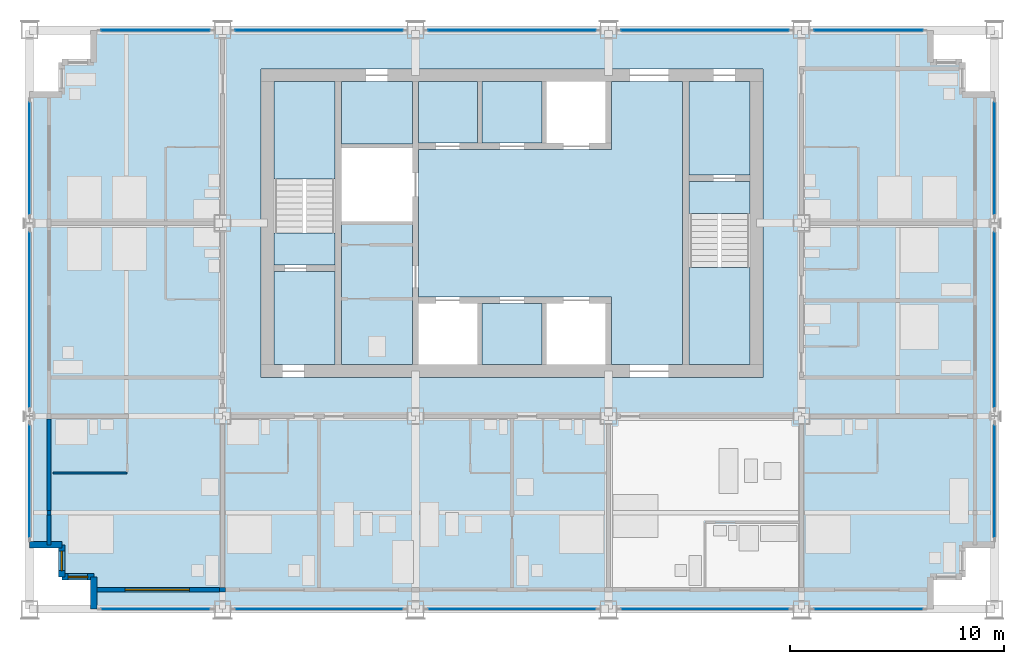
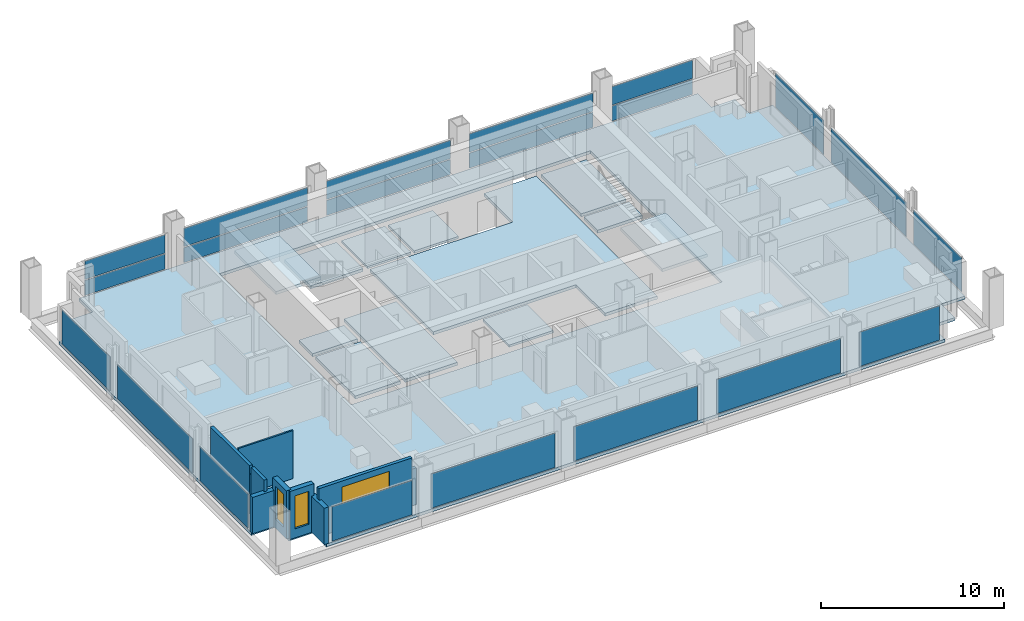
# One storey, part 6 of 13: 21 plates, 13 slabs, 10 walls, 3 windows, 3 openings, 18 elements without a shape of their own.
"""IFC4 building model written with IfcOpenShell, lengths in metres."""

from ifc_helpers import new_model, si_unit, direction, frame, frame_2d, origin, origin_2d, place, context, subcontext, project, spatial, polyline, rectangle, outline, extrude, material, layer, layer_set, type_object, element, fill, aggregate, save


model = new_model("IFC4")

# Units and contexts
model_context = context("Model", 3, precision=1e-05, world=origin(), true_north=direction((0.0, 1.0)))
body_context = subcontext(model_context, "Body", "Model", "MODEL_VIEW")
ifc_project = project(units=[si_unit("LENGTHUNIT", "METRE"), si_unit("AREAUNIT", "SQUARE_METRE"), si_unit("VOLUMEUNIT", "CUBIC_METRE"), si_unit("PLANEANGLEUNIT", "RADIAN"), si_unit("MASSUNIT", "GRAM", prefix="KILO")], contexts=[model_context])

# Site, building, storey
site_placement = place(None, origin())
site = spatial("IfcSite", under=ifc_project, at=site_placement, CompositionType="ELEMENT")
building_placement = place(site_placement, origin())
building = spatial("IfcBuilding", under=site, at=building_placement, Name="Loomwork Tower", CompositionType="ELEMENT")
storey_placement = place(building_placement, frame((0.0, 0.0, 201.199951171875)))
storey = spatial("IfcBuildingStorey", under=building, at=storey_placement, Name="L55", CompositionType="ELEMENT", Elevation=201.199951171875)

# Slabs
ifc_material_1 = material(Name="Concrete 5000 psi (34 MPa) on composite metal deck", Category="concrete")
ifc_layer_1 = layer(ifc_material_1, 0.199951171875)
ifc_layer_set_1 = layer_set([ifc_layer_1], Name="Floor slab 200")
slab_type_1 = type_object("IfcSlabType", Name="Floor slab 200", PredefinedType="FLOOR", material=ifc_layer_set_1)
slab_1_placement = place(storey_placement, frame((0.0, 0.0, -0.199951171875)))
element("IfcSlab", 1, at=slab_1_placement, inside=storey, type_object=slab_type_1, Name="Floor slab L55", PredefinedType="FLOOR", context=body_context, shape_type="SweptSolid", body=[
    extrude(outline(polyline([(3.0, 1.5), (1.5, 1.5), (1.5, 3.0), (0.0, 3.0), (0.0, 24.0), (1.5, 24.0), (1.5, 25.5), (3.0, 25.5), (3.0, 27.0), (42.0, 27.0), (42.0, 25.5), (43.5, 25.5), (43.5, 24.0), (45.0, 24.0), (45.0, 3.0), (43.5, 3.0), (43.5, 1.5), (42.0, 1.5), (42.0, 0.0), (3.0, 0.0), (3.0, 1.5)]), holes=[polyline([(10.800048828125, 11.39990234375), (10.800048828125, 11.39990234375), (10.800048828125, 10.800048828125), (34.199951171875, 10.800048828125), (34.199951171875, 11.39990234375), (34.199951171875, 11.39990234375), (34.199951171875, 24.60009765625), (34.199951171875, 25.199951171875), (10.800048828125, 25.199951171875), (10.800048828125, 24.60009765625), (10.800048828125, 11.39990234375)])]), origin(), (0.0, 0.0, 1.0), 0.199951171875),
])
slab_2_placement = place(storey_placement, frame((0.0, 0.0, -0.199951171875)))
element("IfcSlab", 2, at=slab_2_placement, inside=storey, type_object=slab_type_1, Name="Floor slab L55", PredefinedType="FLOOR", context=body_context, shape_type="SweptSolid", body=[
    extrude(outline(polyline([(30.449951171875, 24.60009765625), (30.449951171875, 11.39990234375), (27.14990234375, 11.39990234375), (27.14990234375, 14.25), (27.14990234375, 14.550048828125), (18.14990234375, 14.550048828125), (18.14990234375, 21.449951171875), (27.14990234375, 21.449951171875), (27.14990234375, 21.75), (27.14990234375, 24.60009765625), (30.449951171875, 24.60009765625)])), origin(), (0.0, 0.0, 1.0), 0.199951171875),
])
slab_3_placement = place(storey_placement, frame((0.0, 0.0, -0.199951171875)))
element("IfcSlab", 3, at=slab_3_placement, inside=storey, type_object=slab_type_1, Name="Floor slab L55", PredefinedType="FLOOR", context=body_context, shape_type="SweptSolid", body=[
    extrude(outline(polyline([(14.550048828125, 11.39990234375), (14.550048828125, 18.074951171875), (17.85009765625, 18.074951171875), (17.85009765625, 11.39990234375), (14.550048828125, 11.39990234375)])), origin(), (0.0, 0.0, 1.0), 0.199951171875),
])
slab_4_placement = place(storey_placement, frame((0.0, 0.0, -0.199951171875)))
element("IfcSlab", 4, at=slab_4_placement, inside=storey, type_object=slab_type_1, Name="Floor slab L55", PredefinedType="FLOOR", context=body_context, shape_type="SweptSolid", body=[
    extrude(outline(polyline([(33.60009765625, 20.25), (30.75, 20.25), (30.75, 24.60009765625), (33.60009765625, 24.60009765625), (33.60009765625, 20.25)])), origin(), (0.0, 0.0, 1.0), 0.199951171875),
])
slab_5_placement = place(storey_placement, frame((0.0, 0.0, -0.199951171875)))
element("IfcSlab", 5, at=slab_5_placement, inside=storey, type_object=slab_type_1, Name="Floor slab L55", PredefinedType="FLOOR", context=body_context, shape_type="SweptSolid", body=[
    extrude(outline(polyline([(14.25, 15.75), (14.25, 11.39990234375), (11.39990234375, 11.39990234375), (11.39990234375, 15.75), (14.25, 15.75)])), origin(), (0.0, 0.0, 1.0), 0.199951171875),
])
slab_6_placement = place(storey_placement, frame((0.0, 0.0, -0.199951171875)))
element("IfcSlab", 6, at=slab_6_placement, inside=storey, type_object=slab_type_1, Name="Floor slab L55", PredefinedType="FLOOR", context=body_context, shape_type="SweptSolid", body=[
    extrude(outline(polyline([(14.550048828125, 21.699951171875), (14.550048828125, 24.60009765625), (17.85009765625, 24.60009765625), (17.85009765625, 21.699951171875), (14.550048828125, 21.699951171875)])), origin(), (0.0, 0.0, 1.0), 0.199951171875),
])

# Curtain wall, plate
ifc_material_2 = material(Name="Aluminium curtain wall frame", Category="aluminium")
curtain_wall_type_1 = type_object("IfcCurtainWallType", Name="Outer skin glazing hotel", PredefinedType="NOTDEFINED", material=ifc_material_2)
curtain_wall_1_placement = place(storey_placement, origin())
curtain_wall_1 = element("IfcCurtainWall", 7, at=curtain_wall_1_placement, inside=storey, type_object=curtain_wall_type_1, Name="Outer skin glazing hotel cw/S-0", PredefinedType="NOTDEFINED")
ifc_material_3 = material(Name="Clear laminated glass", Category="glass")
ifc_layer_2 = layer(ifc_material_3, 0.02392578125)
ifc_layer_set_2 = layer_set([ifc_layer_2], Name="Outer skin glazing hotel panel")
plate_type_1 = type_object("IfcPlateType", Name="Outer skin glazing hotel panel", PredefinedType="CURTAIN_PANEL", material=ifc_layer_set_2)
plate_1_placement = place(storey_placement, frame((5.875, 0.0, 0.06494140625), z_axis=(0.0, 0.0, 1.0), x_axis=(1.0, 0.0, 0.0)))
plate_1 = element("IfcPlate", 8, at=plate_1_placement, type_object=plate_type_1, Name="CW1 panel 1.1", PredefinedType="CURTAIN_PANEL", context=body_context, shape_type="SweptSolid", body=[
    extrude(rectangle(XDim=5.050048828125, YDim=0.02392578125, at=origin_2d()), origin(), (0.0, 0.0, 1.0), 2.290283203125),
])
aggregate(curtain_wall_1, [plate_1])

curtain_wall_2_placement = place(storey_placement, origin())
curtain_wall_2 = element("IfcCurtainWall", 9, at=curtain_wall_2_placement, inside=storey, type_object=curtain_wall_type_1, Name="Outer skin glazing hotel cw/S-9", PredefinedType="NOTDEFINED")
plate_2_placement = place(storey_placement, frame((13.5, 0.0, 0.06494140625), z_axis=(0.0, 0.0, 1.0), x_axis=(1.0, 0.0, 0.0)))
plate_2 = element("IfcPlate", 10, at=plate_2_placement, type_object=plate_type_1, Name="CW1 panel 1.1", PredefinedType="CURTAIN_PANEL", context=body_context, shape_type="SweptSolid", body=[
    extrude(rectangle(XDim=7.800048828125, YDim=0.02392578125, at=origin_2d()), origin(), (0.0, 0.0, 1.0), 2.290283203125),
])
aggregate(curtain_wall_2, [plate_2])

curtain_wall_3_placement = place(storey_placement, origin())
curtain_wall_3 = element("IfcCurtainWall", 11, at=curtain_wall_3_placement, inside=storey, type_object=curtain_wall_type_1, Name="Outer skin glazing hotel cw/S-18", PredefinedType="NOTDEFINED")
plate_3_placement = place(storey_placement, frame((22.5, 0.0, 0.06494140625), z_axis=(0.0, 0.0, 1.0), x_axis=(1.0, 0.0, 0.0)))
plate_3 = element("IfcPlate", 12, at=plate_3_placement, type_object=plate_type_1, Name="CW1 panel 1.1", PredefinedType="CURTAIN_PANEL", context=body_context, shape_type="SweptSolid", body=[
    extrude(rectangle(XDim=7.800048828125, YDim=0.02392578125, at=origin_2d()), origin(), (0.0, 0.0, 1.0), 2.290283203125),
])
aggregate(curtain_wall_3, [plate_3])

curtain_wall_4_placement = place(storey_placement, origin())
curtain_wall_4 = element("IfcCurtainWall", 13, at=curtain_wall_4_placement, inside=storey, type_object=curtain_wall_type_1, Name="Outer skin glazing hotel cw/S-27", PredefinedType="NOTDEFINED")
plate_4_placement = place(storey_placement, frame((31.5, 0.0, 0.06494140625), z_axis=(0.0, 0.0, 1.0), x_axis=(1.0, 0.0, 0.0)))
plate_4 = element("IfcPlate", 14, at=plate_4_placement, type_object=plate_type_1, Name="CW1 panel 1.1", PredefinedType="CURTAIN_PANEL", context=body_context, shape_type="SweptSolid", body=[
    extrude(rectangle(XDim=7.800048828125, YDim=0.02392578125, at=origin_2d()), origin(), (0.0, 0.0, 1.0), 2.290283203125),
])
aggregate(curtain_wall_4, [plate_4])

curtain_wall_5_placement = place(storey_placement, origin())
curtain_wall_5 = element("IfcCurtainWall", 15, at=curtain_wall_5_placement, inside=storey, type_object=curtain_wall_type_1, Name="Outer skin glazing hotel cw/S-36", PredefinedType="NOTDEFINED")
plate_5_placement = place(storey_placement, frame((39.125, 0.0, 0.06494140625), z_axis=(0.0, 0.0, 1.0), x_axis=(1.0, 0.0, 0.0)))
plate_5 = element("IfcPlate", 16, at=plate_5_placement, type_object=plate_type_1, Name="CW1 panel 1.1", PredefinedType="CURTAIN_PANEL", context=body_context, shape_type="SweptSolid", body=[
    extrude(rectangle(XDim=5.050048828125, YDim=0.02392578125, at=origin_2d()), origin(), (0.0, 0.0, 1.0), 2.290283203125),
])
aggregate(curtain_wall_5, [plate_5])

curtain_wall_6_placement = place(storey_placement, origin())
curtain_wall_6 = element("IfcCurtainWall", 17, at=curtain_wall_6_placement, inside=storey, type_object=curtain_wall_type_1, Name="Outer skin glazing hotel cw/W-0", PredefinedType="NOTDEFINED")
plate_6_placement = place(storey_placement, frame((0.0, 5.96826171875, 0.06494140625), z_axis=(0.0, 0.0, 1.0), x_axis=(0.0, -1.0, 0.0)))
plate_6 = element("IfcPlate", 18, at=plate_6_placement, type_object=plate_type_1, Name="CW1 panel 1.1", PredefinedType="CURTAIN_PANEL", context=body_context, shape_type="SweptSolid", body=[
    extrude(rectangle(XDim=5.236572265625, YDim=0.02392578125, at=origin_2d()), origin(), (0.0, 0.0, 1.0), 2.290283203125),
])
aggregate(curtain_wall_6, [plate_6])

curtain_wall_7_placement = place(storey_placement, origin())
curtain_wall_7 = element("IfcCurtainWall", 19, at=curtain_wall_7_placement, inside=storey, type_object=curtain_wall_type_1, Name="Outer skin glazing hotel cw/W-9", PredefinedType="NOTDEFINED")
plate_7_placement = place(storey_placement, frame((0.0, 13.5, 0.06494140625), z_axis=(0.0, 0.0, 1.0), x_axis=(0.0, -1.0, 0.0)))
plate_7 = element("IfcPlate", 20, at=plate_7_placement, type_object=plate_type_1, Name="CW1 panel 1.1", PredefinedType="CURTAIN_PANEL", context=body_context, shape_type="SweptSolid", body=[
    extrude(rectangle(XDim=8.173095703125, YDim=0.02392578125, at=origin_2d()), origin(), (0.0, 0.0, 1.0), 2.290283203125),
])
aggregate(curtain_wall_7, [plate_7])

curtain_wall_8_placement = place(storey_placement, origin())
curtain_wall_8 = element("IfcCurtainWall", 21, at=curtain_wall_8_placement, inside=storey, type_object=curtain_wall_type_1, Name="Outer skin glazing hotel cw/W-18", PredefinedType="NOTDEFINED")
plate_8_placement = place(storey_placement, frame((0.0, 21.03173828125, 0.06494140625), z_axis=(0.0, 0.0, 1.0), x_axis=(0.0, -1.0, 0.0)))
plate_8 = element("IfcPlate", 22, at=plate_8_placement, type_object=plate_type_1, Name="CW1 panel 1.1", PredefinedType="CURTAIN_PANEL", context=body_context, shape_type="SweptSolid", body=[
    extrude(rectangle(XDim=5.236572265625, YDim=0.02392578125, at=origin_2d()), origin(), (0.0, 0.0, 1.0), 2.290283203125),
])
aggregate(curtain_wall_8, [plate_8])

curtain_wall_9_placement = place(storey_placement, origin())
curtain_wall_9 = element("IfcCurtainWall", 23, at=curtain_wall_9_placement, inside=storey, type_object=curtain_wall_type_1, Name="Outer skin glazing hotel cw/E-0", PredefinedType="NOTDEFINED")
plate_9_placement = place(storey_placement, frame((45.0, 5.96826171875, 0.06494140625), z_axis=(0.0, 0.0, 1.0), x_axis=(0.0, 1.0, 0.0)))
plate_9 = element("IfcPlate", 24, at=plate_9_placement, type_object=plate_type_1, Name="CW1 panel 1.1", PredefinedType="CURTAIN_PANEL", context=body_context, shape_type="SweptSolid", body=[
    extrude(rectangle(XDim=5.236572265625, YDim=0.02392578125, at=origin_2d()), origin(), (0.0, 0.0, 1.0), 2.290283203125),
])
aggregate(curtain_wall_9, [plate_9])

curtain_wall_10_placement = place(storey_placement, origin())
curtain_wall_10 = element("IfcCurtainWall", 25, at=curtain_wall_10_placement, inside=storey, type_object=curtain_wall_type_1, Name="Outer skin glazing hotel cw/E-9", PredefinedType="NOTDEFINED")
plate_10_placement = place(storey_placement, frame((45.0, 13.5, 0.06494140625), z_axis=(0.0, 0.0, 1.0), x_axis=(0.0, 1.0, 0.0)))
plate_10 = element("IfcPlate", 26, at=plate_10_placement, type_object=plate_type_1, Name="CW1 panel 1.1", PredefinedType="CURTAIN_PANEL", context=body_context, shape_type="SweptSolid", body=[
    extrude(rectangle(XDim=8.173095703125, YDim=0.02392578125, at=origin_2d()), origin(), (0.0, 0.0, 1.0), 2.290283203125),
])
aggregate(curtain_wall_10, [plate_10])

curtain_wall_11_placement = place(storey_placement, origin())
curtain_wall_11 = element("IfcCurtainWall", 27, at=curtain_wall_11_placement, inside=storey, type_object=curtain_wall_type_1, Name="Outer skin glazing hotel cw/E-18", PredefinedType="NOTDEFINED")
plate_11_placement = place(storey_placement, frame((45.0, 21.03173828125, 0.06494140625), z_axis=(0.0, 0.0, 1.0), x_axis=(0.0, 1.0, 0.0)))
plate_11 = element("IfcPlate", 28, at=plate_11_placement, type_object=plate_type_1, Name="CW1 panel 1.1", PredefinedType="CURTAIN_PANEL", context=body_context, shape_type="SweptSolid", body=[
    extrude(rectangle(XDim=5.236572265625, YDim=0.02392578125, at=origin_2d()), origin(), (0.0, 0.0, 1.0), 2.290283203125),
])
aggregate(curtain_wall_11, [plate_11])

# Slabs
ifc_material_4 = material(Name="Concrete 5000 psi (34 MPa) on composite metal deck", Category="concrete")
ifc_layer_3 = layer(ifc_material_4, 0.14990234375)
ifc_layer_set_3 = layer_set([ifc_layer_3], Name="Shaft infill floor 150")
slab_type_2 = type_object("IfcSlabType", Name="Shaft infill floor 150", PredefinedType="FLOOR", material=ifc_layer_set_3)
slab_7_placement = place(storey_placement, frame((0.0, 0.0, -0.14990234375)))
element("IfcSlab", 29, at=slab_7_placement, inside=storey, type_object=slab_type_2, Name="Shaft infill floor LS1 L55", PredefinedType="FLOOR", context=body_context, shape_type="SweptSolid", body=[
    extrude(outline(polyline([(18.14990234375, 21.75), (20.89990234375, 21.75), (20.89990234375, 24.60009765625), (18.14990234375, 24.60009765625), (18.14990234375, 21.75)])), origin(), (0.0, 0.0, 1.0), 0.14990234375),
])
slab_8_placement = place(storey_placement, frame((0.0, 0.0, -0.14990234375)))
element("IfcSlab", 30, at=slab_8_placement, inside=storey, type_object=slab_type_2, Name="Shaft infill floor LS2 L55", PredefinedType="FLOOR", context=body_context, shape_type="SweptSolid", body=[
    extrude(outline(polyline([(21.10009765625, 21.75), (23.89990234375, 21.75), (23.89990234375, 24.60009765625), (21.10009765625, 24.60009765625), (21.10009765625, 21.75)])), origin(), (0.0, 0.0, 1.0), 0.14990234375),
])
slab_9_placement = place(storey_placement, frame((0.0, 0.0, -0.14990234375)))
element("IfcSlab", 31, at=slab_9_placement, inside=storey, type_object=slab_type_2, Name="Shaft infill floor S2 L55", PredefinedType="FLOOR", context=body_context, shape_type="SweptSolid", body=[
    extrude(outline(polyline([(21.10009765625, 11.39990234375), (23.89990234375, 11.39990234375), (23.89990234375, 14.25), (21.10009765625, 14.25), (21.10009765625, 11.39990234375)])), origin(), (0.0, 0.0, 1.0), 0.14990234375),
])

# Curtain wall, plates
ifc_material_5 = material(Name="Aluminium curtain wall frame", Category="aluminium")
curtain_wall_type_2 = type_object("IfcCurtainWallType", Name="Single skin glazing corridor", PredefinedType="NOTDEFINED", material=ifc_material_5)
curtain_wall_12_placement = place(storey_placement, origin())
curtain_wall_12 = element("IfcCurtainWall", 32, at=curtain_wall_12_placement, inside=storey, type_object=curtain_wall_type_2, Name="Single skin glazing corridor cw/N-0", PredefinedType="NOTDEFINED")
ifc_material_6 = material(Name="Clear insulated glass", Category="glass")
ifc_layer_4 = layer(ifc_material_6, 0.031982421875)
ifc_layer_set_4 = layer_set([ifc_layer_4], Name="Single skin glazing corridor panel")
plate_type_2 = type_object("IfcPlateType", Name="Single skin glazing corridor panel", PredefinedType="CURTAIN_PANEL", material=ifc_layer_set_4)
plate_12_placement = place(storey_placement, frame((5.875, 27.0, 0.065185546875), z_axis=(0.0, 0.0, 1.0), x_axis=(-1.0, 0.0, 0.0)))
plate_12 = element("IfcPlate", 33, at=plate_12_placement, type_object=plate_type_2, Name="CW3 panel 1.1", PredefinedType="CURTAIN_PANEL", context=body_context, shape_type="SweptSolid", body=[
    extrude(rectangle(XDim=5.050048828125, YDim=0.031982421875, at=origin_2d()), origin(), (0.0, 0.0, 1.0), 1.00244140625),
])
plate_13_placement = place(storey_placement, frame((5.875, 27.0, 1.132568359375), z_axis=(0.0, 0.0, 1.0), x_axis=(-1.0, 0.0, 0.0)))
plate_13 = element("IfcPlate", 34, at=plate_13_placement, type_object=plate_type_2, Name="CW3 panel 1.2", PredefinedType="CURTAIN_PANEL", context=body_context, shape_type="SweptSolid", body=[
    extrude(rectangle(XDim=5.050048828125, YDim=0.031982421875, at=origin_2d()), origin(), (0.0, 0.0, 1.0), 1.22265625),
])
aggregate(curtain_wall_12, [plate_12, plate_13])

curtain_wall_13_placement = place(storey_placement, origin())
curtain_wall_13 = element("IfcCurtainWall", 35, at=curtain_wall_13_placement, inside=storey, type_object=curtain_wall_type_2, Name="Single skin glazing corridor cw/N-9", PredefinedType="NOTDEFINED")
plate_14_placement = place(storey_placement, frame((13.5, 27.0, 0.065185546875), z_axis=(0.0, 0.0, 1.0), x_axis=(-1.0, 0.0, 0.0)))
plate_14 = element("IfcPlate", 36, at=plate_14_placement, type_object=plate_type_2, Name="CW3 panel 1.1", PredefinedType="CURTAIN_PANEL", context=body_context, shape_type="SweptSolid", body=[
    extrude(rectangle(XDim=7.800048828125, YDim=0.031982421875, at=origin_2d()), origin(), (0.0, 0.0, 1.0), 1.00244140625),
])
plate_15_placement = place(storey_placement, frame((13.5, 27.0, 1.132568359375), z_axis=(0.0, 0.0, 1.0), x_axis=(-1.0, 0.0, 0.0)))
plate_15 = element("IfcPlate", 37, at=plate_15_placement, type_object=plate_type_2, Name="CW3 panel 1.2", PredefinedType="CURTAIN_PANEL", context=body_context, shape_type="SweptSolid", body=[
    extrude(rectangle(XDim=7.800048828125, YDim=0.031982421875, at=origin_2d()), origin(), (0.0, 0.0, 1.0), 1.22265625),
])
aggregate(curtain_wall_13, [plate_14, plate_15])

curtain_wall_14_placement = place(storey_placement, origin())
curtain_wall_14 = element("IfcCurtainWall", 38, at=curtain_wall_14_placement, inside=storey, type_object=curtain_wall_type_2, Name="Single skin glazing corridor cw/N-18", PredefinedType="NOTDEFINED")
plate_16_placement = place(storey_placement, frame((22.5, 27.0, 0.065185546875), z_axis=(0.0, 0.0, 1.0), x_axis=(-1.0, 0.0, 0.0)))
plate_16 = element("IfcPlate", 39, at=plate_16_placement, type_object=plate_type_2, Name="CW3 panel 1.1", PredefinedType="CURTAIN_PANEL", context=body_context, shape_type="SweptSolid", body=[
    extrude(rectangle(XDim=7.800048828125, YDim=0.031982421875, at=origin_2d()), origin(), (0.0, 0.0, 1.0), 1.00244140625),
])
plate_17_placement = place(storey_placement, frame((22.5, 27.0, 1.132568359375), z_axis=(0.0, 0.0, 1.0), x_axis=(-1.0, 0.0, 0.0)))
plate_17 = element("IfcPlate", 40, at=plate_17_placement, type_object=plate_type_2, Name="CW3 panel 1.2", PredefinedType="CURTAIN_PANEL", context=body_context, shape_type="SweptSolid", body=[
    extrude(rectangle(XDim=7.800048828125, YDim=0.031982421875, at=origin_2d()), origin(), (0.0, 0.0, 1.0), 1.22265625),
])
aggregate(curtain_wall_14, [plate_16, plate_17])

curtain_wall_15_placement = place(storey_placement, origin())
curtain_wall_15 = element("IfcCurtainWall", 41, at=curtain_wall_15_placement, inside=storey, type_object=curtain_wall_type_2, Name="Single skin glazing corridor cw/N-27", PredefinedType="NOTDEFINED")
plate_18_placement = place(storey_placement, frame((31.5, 27.0, 0.065185546875), z_axis=(0.0, 0.0, 1.0), x_axis=(-1.0, 0.0, 0.0)))
plate_18 = element("IfcPlate", 42, at=plate_18_placement, type_object=plate_type_2, Name="CW3 panel 1.1", PredefinedType="CURTAIN_PANEL", context=body_context, shape_type="SweptSolid", body=[
    extrude(rectangle(XDim=7.800048828125, YDim=0.031982421875, at=origin_2d()), origin(), (0.0, 0.0, 1.0), 1.00244140625),
])
plate_19_placement = place(storey_placement, frame((31.5, 27.0, 1.132568359375), z_axis=(0.0, 0.0, 1.0), x_axis=(-1.0, 0.0, 0.0)))
plate_19 = element("IfcPlate", 43, at=plate_19_placement, type_object=plate_type_2, Name="CW3 panel 1.2", PredefinedType="CURTAIN_PANEL", context=body_context, shape_type="SweptSolid", body=[
    extrude(rectangle(XDim=7.800048828125, YDim=0.031982421875, at=origin_2d()), origin(), (0.0, 0.0, 1.0), 1.22265625),
])
aggregate(curtain_wall_15, [plate_18, plate_19])

curtain_wall_16_placement = place(storey_placement, origin())
curtain_wall_16 = element("IfcCurtainWall", 44, at=curtain_wall_16_placement, inside=storey, type_object=curtain_wall_type_2, Name="Single skin glazing corridor cw/N-36", PredefinedType="NOTDEFINED")
plate_20_placement = place(storey_placement, frame((39.125, 27.0, 0.065185546875), z_axis=(0.0, 0.0, 1.0), x_axis=(-1.0, 0.0, 0.0)))
plate_20 = element("IfcPlate", 45, at=plate_20_placement, type_object=plate_type_2, Name="CW3 panel 1.1", PredefinedType="CURTAIN_PANEL", context=body_context, shape_type="SweptSolid", body=[
    extrude(rectangle(XDim=5.050048828125, YDim=0.031982421875, at=origin_2d()), origin(), (0.0, 0.0, 1.0), 1.00244140625),
])
plate_21_placement = place(storey_placement, frame((39.125, 27.0, 1.132568359375), z_axis=(0.0, 0.0, 1.0), x_axis=(-1.0, 0.0, 0.0)))
plate_21 = element("IfcPlate", 46, at=plate_21_placement, type_object=plate_type_2, Name="CW3 panel 1.2", PredefinedType="CURTAIN_PANEL", context=body_context, shape_type="SweptSolid", body=[
    extrude(rectangle(XDim=5.050048828125, YDim=0.031982421875, at=origin_2d()), origin(), (0.0, 0.0, 1.0), 1.22265625),
])
aggregate(curtain_wall_16, [plate_20, plate_21])

# Stair, slabs
ifc_material_7 = material(Name="Concrete 5000 psi (34 MPa) precast stair", Category="concrete")
stair_type_1 = type_object("IfcStairType", Name="Stair ST-A 20 risers 2850 wide", PredefinedType="HALF_TURN_STAIR", material=ifc_material_7)
stair_1_placement = place(storey_placement, origin())
stair_1 = element("IfcStair", 47, at=stair_1_placement, inside=storey, type_object=stair_type_1, Name="Stair A L55", PredefinedType="HALF_TURN_STAIR")
ifc_material_8 = material(Name="Concrete 5000 psi (34 MPa)", Category="concrete")
ifc_layer_5 = layer(ifc_material_8, 0.199951171875)
ifc_layer_set_5 = layer_set([ifc_layer_5], Name="Stair landing 200")
slab_type_3 = type_object("IfcSlabType", Name="Stair landing 200", PredefinedType="LANDING", material=ifc_layer_set_5)
slab_10_placement = place(storey_placement, frame((0.0, 0.0, -0.199951171875)))
slab_10 = element("IfcSlab", 48, at=slab_10_placement, type_object=slab_type_3, Name="ST-A landing 1", PredefinedType="LANDING", context=body_context, shape_type="SweptSolid", body=[
    extrude(outline(polyline([(11.39990234375, 16.050048828125), (14.25, 16.050048828125), (14.25, 17.550048828125), (11.39990234375, 17.550048828125), (11.39990234375, 16.050048828125)])), origin(), (0.0, 0.0, 1.0), 0.199951171875),
])
slab_11_placement = place(storey_placement, frame((0.0, 0.0, 1.5)))
slab_11 = element("IfcSlab", 49, at=slab_11_placement, type_object=slab_type_3, Name="ST-A landing 2", PredefinedType="LANDING", context=body_context, shape_type="SweptSolid", body=[
    extrude(outline(polyline([(11.39990234375, 20.070068359375), (14.25, 20.070068359375), (14.25, 24.60009765625), (11.39990234375, 24.60009765625), (11.39990234375, 20.070068359375)])), origin(), (0.0, 0.0, 1.0), 0.199951171875),
])
aggregate(stair_1, [slab_10, slab_11])

ifc_material_9 = material(Name="Concrete 5000 psi (34 MPa) precast stair", Category="concrete")
stair_type_2 = type_object("IfcStairType", Name="Stair ST-B 20 risers 2850 wide", PredefinedType="HALF_TURN_STAIR", material=ifc_material_9)
stair_2_placement = place(storey_placement, origin())
stair_2 = element("IfcStair", 50, at=stair_2_placement, inside=storey, type_object=stair_type_2, Name="Stair B L55", PredefinedType="HALF_TURN_STAIR")
slab_12_placement = place(storey_placement, frame((0.0, 0.0, -0.199951171875)))
slab_12 = element("IfcSlab", 51, at=slab_12_placement, type_object=slab_type_3, Name="ST-B landing 1", PredefinedType="LANDING", context=body_context, shape_type="SweptSolid", body=[
    extrude(outline(polyline([(30.75, 18.449951171875), (33.60009765625, 18.449951171875), (33.60009765625, 19.949951171875), (30.75, 19.949951171875), (30.75, 18.449951171875)])), origin(), (0.0, 0.0, 1.0), 0.199951171875),
])
slab_13_placement = place(storey_placement, frame((0.0, 0.0, 1.5)))
slab_13 = element("IfcSlab", 52, at=slab_13_placement, type_object=slab_type_3, Name="ST-B landing 2", PredefinedType="LANDING", context=body_context, shape_type="SweptSolid", body=[
    extrude(outline(polyline([(30.75, 11.39990234375), (33.60009765625, 11.39990234375), (33.60009765625, 15.929931640625), (30.75, 15.929931640625), (30.75, 11.39990234375)])), origin(), (0.0, 0.0, 1.0), 0.199951171875),
])
aggregate(stair_2, [slab_12, slab_13])

# Wall
ifc_material_10 = material(Name="Cement board on steel studs", Category="steel")
ifc_layer_6 = layer(ifc_material_10, 0.10009765625)
ifc_layer_set_6 = layer_set([ifc_layer_6], Name="En-suite partition 100")
wall_type_1 = type_object("IfcWallType", Name="En-suite partition 100", PredefinedType="PARTITIONING", material=ifc_layer_set_6)
wall_1_placement = place(storey_placement, frame((1.10009765625, 6.35009765625, 0.0), z_axis=(0.0, 0.0, 1.0), x_axis=(1.0, 0.0, 0.0)))
element("IfcWall", 53, at=wall_1_placement, inside=storey, type_object=wall_type_1, Name="En-suite wall L55 room 1", PredefinedType="PARTITIONING", context=body_context, shape_type="SweptSolid", body=[
    extrude(rectangle(XDim=3.449951171875, YDim=0.10009765625, at=frame_2d((1.72509765625, 0.0))), origin(), (0.0, 0.0, 1.0), 3.199951171875),
])

# Wall, opening, window
ifc_material_11 = material(Name="Insulated steel stud wall with gypsum lining", Category="steel")
ifc_layer_7 = layer(ifc_material_11, 0.199951171875)
ifc_layer_set_7 = layer_set([ifc_layer_7], Name="Inner skin wall 200")
wall_type_2 = type_object("IfcWallType", Name="Inner skin wall 200", PredefinedType="SOLIDWALL", material=ifc_layer_set_7)
wall_2_placement = place(storey_placement, frame((3.0, 0.89990234375, 0.0), z_axis=(0.0, 0.0, 1.0), x_axis=(1.0, 0.0, 0.0)))
wall_2 = element("IfcWall", 54, at=wall_2_placement, inside=storey, type_object=wall_type_2, Name="Inner skin wall S", PredefinedType="SOLIDWALL", context=body_context, shape_type="SweptSolid", body=[
    extrude(rectangle(XDim=5.86474609375, YDim=0.199951171875, at=frame_2d((2.932373046875, 0.0))), origin(), (0.0, 0.0, 1.0), 3.199951171875),
])
opening_1_placement = place(wall_2_placement, frame((1.449951171875, 0.0, 0.60009765625)))
opening_1 = element("IfcOpeningElement", 55, at=opening_1_placement, cuts=wall_2, Name="Opening CH1", PredefinedType="OPENING", context=body_context, shape_type="SweptSolid", body=[
    extrude(rectangle(XDim=3.0, YDim=2.199951171875, at=frame_2d((1.5, 1.10009765625))), frame((0.0, 0.10986328125, 0.0), z_axis=(0.0, -1.0, 0.0), x_axis=(1.0, 0.0, 0.0)), (0.0, 0.0, 1.0), 0.219970703125),
])
ifc_material_12 = material(Name="Aluminium frame with clear insulated glass", Category="aluminium")
window_type_1 = type_object("IfcWindowType", Name="Chicago window 3000", PartitioningType="TRIPLE_PANEL_VERTICAL", PredefinedType="WINDOW", material=ifc_material_12)
window_1_placement = place(opening_1_placement, origin())
window_1 = element("IfcWindow", 56, at=window_1_placement, inside=storey, type_object=window_type_1, Name="Chicago window L55 bay 1", OverallHeight=2.199951171875, OverallWidth=3.0, PartitioningType="TRIPLE_PANEL_VERTICAL", PredefinedType="WINDOW", context=body_context, shape_type="SweptSolid", body=[
    extrude(rectangle(XDim=3.0, YDim=2.199951171875, at=frame_2d((1.5, 1.10009765625))), frame((0.0, 0.030029296875, 0.0), z_axis=(0.0, -1.0, 0.0), x_axis=(1.0, 0.0, 0.0)), (0.0, 0.0, 1.0), 0.06005859375),
])
fill(opening_1, window_1)

# Walls
wall_3_placement = place(storey_placement, frame((0.89990234375, 3.0, 0.0), z_axis=(0.0, 0.0, 1.0), x_axis=(0.0, 1.0, 0.0)))
element("IfcWall", 57, at=wall_3_placement, inside=storey, type_object=wall_type_2, Name="Inner skin wall W", PredefinedType="SOLIDWALL", context=body_context, shape_type="SweptSolid", body=[
    extrude(rectangle(XDim=1.392578125, YDim=0.199951171875, at=frame_2d((0.6962890625, 0.0))), origin(), (0.0, 0.0, 1.0), 3.199951171875),
])
wall_4_placement = place(storey_placement, frame((8.86474609375, 0.89990234375, 0.0), z_axis=(0.0, 0.0, 1.0), x_axis=(1.0, 0.0, 0.0)))
element("IfcWall", 58, at=wall_4_placement, inside=storey, type_object=wall_type_2, Name="Inner skin wall S bay 2", PredefinedType="SOLIDWALL", context=body_context, shape_type="SweptSolid", body=[
    extrude(rectangle(XDim=0.2705078125, YDim=0.199951171875, at=frame_2d((0.13525390625, 0.0))), origin(), (0.0, 0.0, 1.0), 2.43798828125),
])
wall_5_placement = place(storey_placement, frame((0.89990234375, 4.392578125, 0.0), z_axis=(0.0, 0.0, 1.0), x_axis=(0.0, 1.0, 0.0)))
element("IfcWall", 59, at=wall_5_placement, inside=storey, type_object=wall_type_2, Name="Inner skin wall W bay 2", PredefinedType="SOLIDWALL", context=body_context, shape_type="SweptSolid", body=[
    extrude(rectangle(XDim=0.21484375, YDim=0.199951171875, at=frame_2d((0.107421875, 0.0))), origin(), (0.0, 0.0, 1.0), 2.6611328125),
])
wall_6_placement = place(storey_placement, frame((0.89990234375, 4.607421875, 0.0), z_axis=(0.0, 0.0, 1.0), x_axis=(0.0, 1.0, 0.0)))
element("IfcWall", 60, at=wall_6_placement, inside=storey, type_object=wall_type_2, Name="Inner skin wall W bay 3", PredefinedType="SOLIDWALL", context=body_context, shape_type="SweptSolid", body=[
    extrude(rectangle(XDim=4.25732421875, YDim=0.199951171875, at=frame_2d((2.128662109375, 0.0))), origin(), (0.0, 0.0, 1.0), 3.199951171875),
])
ifc_material_13 = material(Name="Limestone on concrete masonry", Category="masonry")
ifc_layer_8 = layer(ifc_material_13, 0.300048828125)
ifc_layer_set_8 = layer_set([ifc_layer_8], Name="Limestone corner wall 300")
wall_type_3 = type_object("IfcWallType", Name="Limestone corner wall 300", PredefinedType="SOLIDWALL", material=ifc_layer_set_8)
wall_7_placement = place(storey_placement, frame((0.0, 3.0, 0.0), z_axis=(0.0, 0.0, 1.0), x_axis=(1.0, 0.0, 0.0)))
element("IfcWall", 61, at=wall_7_placement, inside=storey, type_object=wall_type_3, Name="Stone corner wall SW 1", PredefinedType="SOLIDWALL", context=body_context, shape_type="SweptSolid", body=[
    extrude(rectangle(XDim=1.5, YDim=0.300048828125, at=frame_2d((0.75, 0.0))), origin(), (0.0, 0.0, 1.0), 2.420166015625),
])

# Wall, opening, window
wall_8_placement = place(storey_placement, frame((1.5, 3.0, 0.0), z_axis=(0.0, 0.0, 1.0), x_axis=(0.0, -1.0, 0.0)))
wall_8 = element("IfcWall", 62, at=wall_8_placement, inside=storey, type_object=wall_type_3, Name="Stone corner wall SW 2", PredefinedType="SOLIDWALL", context=body_context, shape_type="SweptSolid", body=[
    extrude(rectangle(XDim=1.5, YDim=0.300048828125, at=frame_2d((0.75, 0.0))), origin(), (0.0, 0.0, 1.0), 3.199951171875),
])
opening_2_placement = place(wall_8_placement, frame((0.300048828125, 0.0, 0.60009765625)))
opening_2 = element("IfcOpeningElement", 63, at=opening_2_placement, cuts=wall_8, Name="Opening CH2", PredefinedType="OPENING", context=body_context, shape_type="SweptSolid", body=[
    extrude(rectangle(XDim=0.89990234375, YDim=2.199951171875, at=frame_2d((0.449951171875, 1.10009765625))), frame((0.0, 0.159912109375, 0.0), z_axis=(0.0, -1.0, 0.0), x_axis=(1.0, 0.0, 0.0)), (0.0, 0.0, 1.0), 0.320068359375),
])
ifc_material_14 = material(Name="Aluminium frame with clear insulated glass", Category="aluminium")
window_type_2 = type_object("IfcWindowType", Name="Corner window 900", PartitioningType="SINGLE_PANEL", PredefinedType="WINDOW", material=ifc_material_14)
window_2_placement = place(opening_2_placement, origin())
window_2 = element("IfcWindow", 64, at=window_2_placement, inside=storey, type_object=window_type_2, Name="Corner window SW", OverallHeight=2.199951171875, OverallWidth=0.89990234375, PartitioningType="SINGLE_PANEL", PredefinedType="WINDOW", context=body_context, shape_type="SweptSolid", body=[
    extrude(rectangle(XDim=0.89990234375, YDim=2.199951171875, at=frame_2d((0.449951171875, 1.10009765625))), frame((0.0, 0.030029296875, 0.0), z_axis=(0.0, -1.0, 0.0), x_axis=(1.0, 0.0, 0.0)), (0.0, 0.0, 1.0), 0.06005859375),
])
fill(opening_2, window_2)

wall_9_placement = place(storey_placement, frame((1.5, 1.5, 0.0), z_axis=(0.0, 0.0, 1.0), x_axis=(1.0, 0.0, 0.0)))
wall_9 = element("IfcWall", 65, at=wall_9_placement, inside=storey, type_object=wall_type_3, Name="Stone corner wall SW 3", PredefinedType="SOLIDWALL", context=body_context, shape_type="SweptSolid", body=[
    extrude(rectangle(XDim=1.5, YDim=0.300048828125, at=frame_2d((0.75, 0.0))), origin(), (0.0, 0.0, 1.0), 3.199951171875),
])
opening_3_placement = place(wall_9_placement, frame((0.300048828125, 0.0, 0.60009765625)))
opening_3 = element("IfcOpeningElement", 66, at=opening_3_placement, cuts=wall_9, Name="Opening CH2", PredefinedType="OPENING", context=body_context, shape_type="SweptSolid", body=[
    extrude(rectangle(XDim=0.89990234375, YDim=2.199951171875, at=frame_2d((0.449951171875, 1.10009765625))), frame((0.0, 0.159912109375, 0.0), z_axis=(0.0, -1.0, 0.0), x_axis=(1.0, 0.0, 0.0)), (0.0, 0.0, 1.0), 0.320068359375),
])
window_3_placement = place(opening_3_placement, origin())
window_3 = element("IfcWindow", 67, at=window_3_placement, inside=storey, type_object=window_type_2, Name="Corner window SW", OverallHeight=2.199951171875, OverallWidth=0.89990234375, PartitioningType="SINGLE_PANEL", PredefinedType="WINDOW", context=body_context, shape_type="SweptSolid", body=[
    extrude(rectangle(XDim=0.89990234375, YDim=2.199951171875, at=frame_2d((0.449951171875, 1.10009765625))), frame((0.0, 0.030029296875, 0.0), z_axis=(0.0, -1.0, 0.0), x_axis=(1.0, 0.0, 0.0)), (0.0, 0.0, 1.0), 0.06005859375),
])
fill(opening_3, window_3)

# Wall
wall_10_placement = place(storey_placement, frame((3.0, 1.5, 0.0), z_axis=(0.0, 0.0, 1.0), x_axis=(0.0, -1.0, 0.0)))
element("IfcWall", 68, at=wall_10_placement, inside=storey, type_object=wall_type_3, Name="Stone corner wall SW 4", PredefinedType="SOLIDWALL", context=body_context, shape_type="SweptSolid", body=[
    extrude(rectangle(XDim=1.5, YDim=0.300048828125, at=frame_2d((0.75, 0.0))), origin(), (0.0, 0.0, 1.0), 2.420166015625),
])

save(model, "model.ifc")
